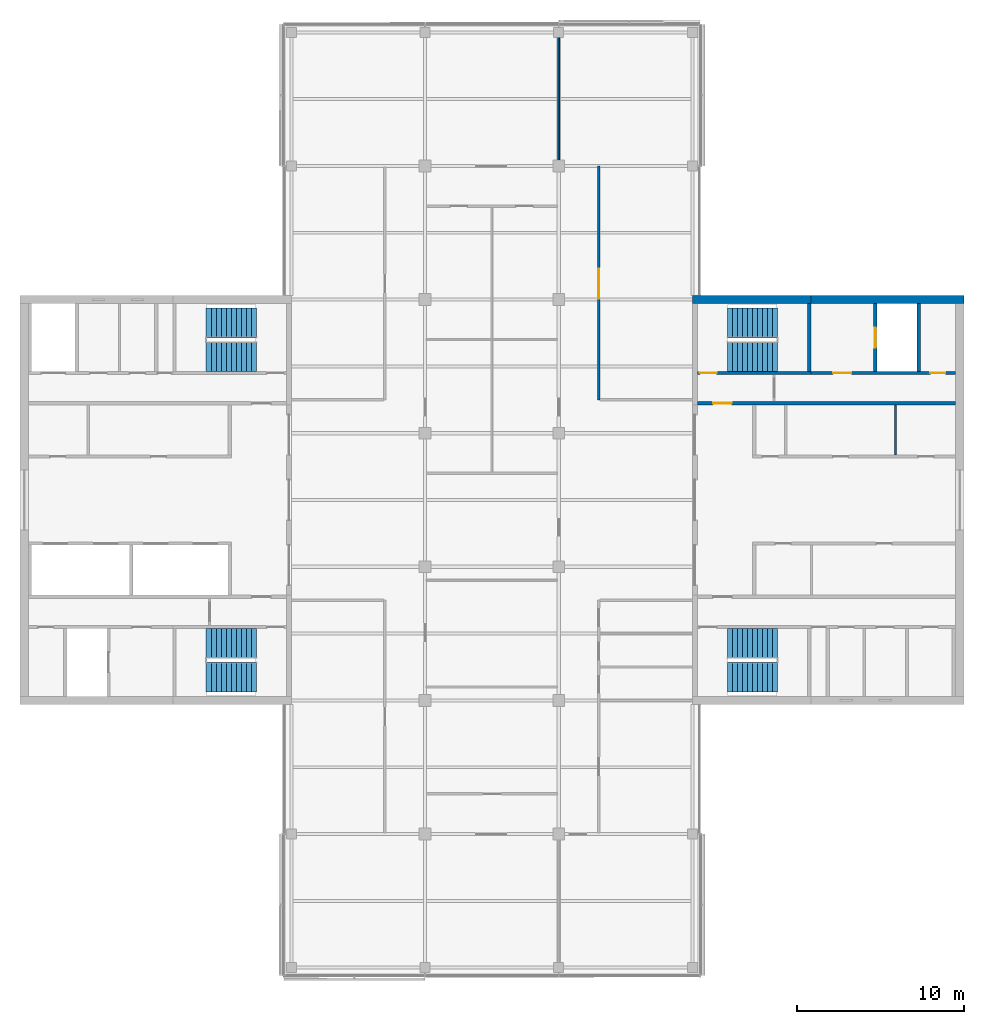
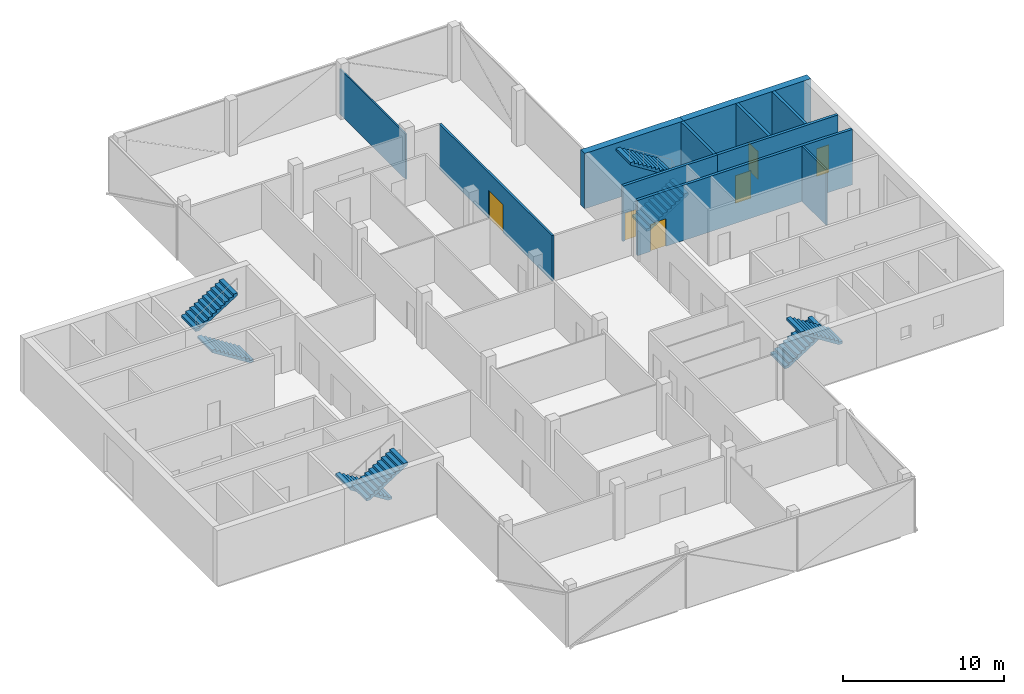
# One storey, part 12 of 15: 11 walls, 8 stair flights, 6 doors, 6 openings, 4 elements without a shape of their own.
"""IFC4 building model written with IfcOpenShell, lengths in metres."""

from ifc_helpers import new_model, si_unit, direction, frame, frame_2d, origin, place, context, subcontext, project, spatial, polyline, rectangle, outline, extrude, material, layer, layer_set, constituent, constituent_set, type_object, element, fill, aggregate, save


model = new_model("IFC4")

# Units and contexts
model_context = context("Model", 3, precision=1e-05, world=origin(), true_north=direction((0.0, 1.0)))
body_context = subcontext(model_context, "Body", "Model", "MODEL_VIEW")
ifc_project = project(units=[si_unit("LENGTHUNIT", "METRE"), si_unit("AREAUNIT", "SQUARE_METRE"), si_unit("VOLUMEUNIT", "CUBIC_METRE"), si_unit("PLANEANGLEUNIT", "RADIAN"), si_unit("MASSUNIT", "GRAM", prefix="KILO")], contexts=[model_context])

# Site, building, storey
site_placement = place(None, origin())
site = spatial("IfcSite", under=ifc_project, at=site_placement, CompositionType="ELEMENT")
building_placement = place(site_placement, origin())
building = spatial("IfcBuilding", under=site, at=building_placement, Name="Crosswind Convention Tower", CompositionType="ELEMENT")
storey_placement = place(building_placement, frame((0.0, 0.0, 261.89990234375)))
storey = spatial("IfcBuildingStorey", under=building, at=storey_placement, Name="L56", CompositionType="ELEMENT", Elevation=261.89990234375)

# Wall, opening, door
ifc_material_1 = material(Name="Concrete C50/60", Category="concrete")
ifc_layer_1 = layer(ifc_material_1, 0.199951171875)
ifc_layer_set_1 = layer_set([ifc_layer_1], Name="Concrete C50/60")
wall_type_1 = type_object("IfcWallType", Name="Concrete shaft and stair wall 200", PredefinedType="SHEAR", material=ifc_layer_set_1)
wall_1_placement = place(storey_placement, frame((137.300048828125, 105.800048828125, 0.0), z_axis=(0.0, 0.0, 1.0), x_axis=(1.0, 0.0, 0.0)))
wall_1 = element("IfcWall", 1, at=wall_1_placement, inside=storey, type_object=wall_type_1, Name="Wall HP E L56", PredefinedType="SHEAR", context=body_context, shape_type="SweptSolid", body=[
    extrude(rectangle(XDim=15.449951171875, YDim=0.199951171875, at=frame_2d((7.72509765625, 0.0))), origin(), (0.0, 0.0, 1.0), 4.2001953125),
])
opening_1_placement = place(wall_1_placement, frame((0.949951171875, 0.0, 0.0)))
opening_1 = element("IfcOpeningElement", 2, at=opening_1_placement, cuts=wall_1, Name="Opening D104", PredefinedType="OPENING", context=body_context, shape_type="SweptSolid", body=[
    extrude(rectangle(XDim=1.10009765625, YDim=2.10009765625, at=frame_2d((0.550048828125, 1.050048828125))), frame((0.0, 0.10986328125, 0.0), z_axis=(0.0, -1.0, 0.0), x_axis=(1.0, 0.0, 0.0)), (0.0, 0.0, 1.0), 0.219970703125),
])
ifc_material_2 = material(Name="Steel fire door", Category="steel")
door_type_1 = type_object("IfcDoorType", Name="Fire-rated single door 1100x2100", OperationType="NOTDEFINED", PredefinedType="DOOR", material=ifc_material_2)
door_1_placement = place(opening_1_placement, origin())
door_1 = element("IfcDoor", 3, at=door_1_placement, inside=storey, type_object=door_type_1, Name="Corridor door L56", ObjectType="D104", OperationType="SINGLE_SWING_LEFT", OverallHeight=2.10009765625, OverallWidth=1.10009765625, PredefinedType="DOOR", context=body_context, shape_type="SweptSolid", body=[
    extrude(rectangle(XDim=1.10009765625, YDim=2.10009765625, at=frame_2d((0.550048828125, 1.050048828125))), frame((0.0, 0.02490234375, 0.0), z_axis=(0.0, -1.0, 0.0), x_axis=(1.0, 0.0, 0.0)), (0.0, 0.0, 1.0), 0.050048828125),
])
fill(opening_1, door_1)

# Wall
wall_2_placement = place(storey_placement, frame((144.0, 107.699951171875, 0.0), z_axis=(0.0, 0.0, 1.0), x_axis=(0.0, 1.0, 0.0)))
element("IfcWall", 4, at=wall_2_placement, inside=storey, type_object=wall_type_1, Name="Wall PSE E L56", PredefinedType="SHEAR", context=body_context, shape_type="SweptSolid", body=[
    extrude(rectangle(XDim=4.050048828125, YDim=0.199951171875, at=frame_2d((2.02490234375, 0.0))), origin(), (0.0, 0.0, 1.0), 4.2001953125),
])

# Wall, opening, door
wall_3_placement = place(storey_placement, frame((147.949951171875, 107.699951171875, 0.0), z_axis=(0.0, 0.0, 1.0), x_axis=(0.0, 1.0, 0.0)))
wall_3 = element("IfcWall", 5, at=wall_3_placement, inside=storey, type_object=wall_type_1, Name="Wall PFLW E L56", PredefinedType="SHEAR", context=body_context, shape_type="SweptSolid", body=[
    extrude(rectangle(XDim=4.050048828125, YDim=0.199951171875, at=frame_2d((2.02490234375, 0.0))), origin(), (0.0, 0.0, 1.0), 4.2001953125),
])
opening_2_placement = place(wall_3_placement, frame((1.425048828125, 0.0, 0.0)))
opening_2 = element("IfcOpeningElement", 6, at=opening_2_placement, cuts=wall_3, Name="Opening LD1", PredefinedType="OPENING", context=body_context, shape_type="SweptSolid", body=[
    extrude(rectangle(XDim=1.199951171875, YDim=2.10009765625, at=frame_2d((0.60009765625, 1.050048828125))), frame((0.0, 0.10986328125, 0.0), z_axis=(0.0, -1.0, 0.0), x_axis=(1.0, 0.0, 0.0)), (0.0, 0.0, 1.0), 0.219970703125),
])
ifc_material_3 = material(Name="Stainless steel", Category="steel")
door_type_2 = type_object("IfcDoorType", Name="Lift landing door 1200x2100", OperationType="DOUBLE_DOOR_SLIDING", PredefinedType="DOOR", material=ifc_material_3)
door_2_placement = place(opening_2_placement, origin())
door_2 = element("IfcDoor", 7, at=door_2_placement, inside=storey, type_object=door_type_2, Name="Landing door FF1 L56", ObjectType="LD1", OperationType="DOUBLE_DOOR_SLIDING", OverallHeight=2.10009765625, OverallWidth=1.199951171875, PredefinedType="DOOR", context=body_context, shape_type="SweptSolid", body=[
    extrude(rectangle(XDim=1.199951171875, YDim=2.10009765625, at=frame_2d((0.60009765625, 1.050048828125))), frame((0.0, 0.02490234375, 0.0), z_axis=(0.0, -1.0, 0.0), x_axis=(1.0, 0.0, 0.0)), (0.0, 0.0, 1.0), 0.050048828125),
])
fill(opening_2, door_2)

# Wall
wall_4_placement = place(storey_placement, frame((150.550048828125, 107.699951171875, 0.0), z_axis=(0.0, 0.0, 1.0), x_axis=(0.0, 1.0, 0.0)))
element("IfcWall", 8, at=wall_4_placement, inside=storey, type_object=wall_type_1, Name="Wall PFSE E L56", PredefinedType="SHEAR", context=body_context, shape_type="SweptSolid", body=[
    extrude(rectangle(XDim=4.050048828125, YDim=0.199951171875, at=frame_2d((2.02490234375, 0.0))), origin(), (0.0, 0.0, 1.0), 4.2001953125),
])

# Wall, opening, door
wall_5_placement = place(storey_placement, frame((137.300048828125, 107.60009765625, 0.0), z_axis=(0.0, 0.0, 1.0), x_axis=(1.0, 0.0, 0.0)))
wall_5 = element("IfcWall", 9, at=wall_5_placement, inside=storey, type_object=wall_type_1, Name="Wall PCW E L56", PredefinedType="SHEAR", context=body_context, shape_type="SweptSolid", body=[
    extrude(rectangle(XDim=6.800048828125, YDim=0.199951171875, at=frame_2d((3.39990234375, 0.0))), origin(), (0.0, 0.0, 1.0), 4.2001953125),
])
opening_3_placement = place(wall_5_placement, frame((0.14990234375, 0.0, 0.0)))
opening_3 = element("IfcOpeningElement", 10, at=opening_3_placement, cuts=wall_5, Name="Opening D103", PredefinedType="OPENING", context=body_context, shape_type="SweptSolid", body=[
    extrude(rectangle(XDim=1.0, YDim=2.10009765625, at=frame_2d((0.5, 1.050048828125))), frame((0.0, 0.10986328125, 0.0), z_axis=(0.0, -1.0, 0.0), x_axis=(1.0, 0.0, 0.0)), (0.0, 0.0, 1.0), 0.219970703125),
])
door_type_3 = type_object("IfcDoorType", Name="Fire-rated single door 1000x2100", OperationType="NOTDEFINED", PredefinedType="DOOR", material=ifc_material_2)
door_3_placement = place(opening_3_placement, origin())
door_3 = element("IfcDoor", 11, at=door_3_placement, inside=storey, type_object=door_type_3, Name="Stair ST1 door L56", ObjectType="D103", OperationType="SINGLE_SWING_LEFT", OverallHeight=2.10009765625, OverallWidth=1.0, PredefinedType="DOOR", context=body_context, shape_type="SweptSolid", body=[
    extrude(rectangle(XDim=1.0, YDim=2.10009765625, at=frame_2d((0.5, 1.050048828125))), frame((0.0, 0.02490234375, 0.0), z_axis=(0.0, -1.0, 0.0), x_axis=(1.0, 0.0, 0.0)), (0.0, 0.0, 1.0), 0.050048828125),
])
fill(opening_3, door_3)

# Wall, openings, doors
wall_6_placement = place(storey_placement, frame((144.10009765625, 107.60009765625, 0.0), z_axis=(0.0, 0.0, 1.0), x_axis=(1.0, 0.0, 0.0)))
wall_6 = element("IfcWall", 12, at=wall_6_placement, inside=storey, type_object=wall_type_1, Name="Wall PCX E L56", PredefinedType="SHEAR", context=body_context, shape_type="SweptSolid", body=[
    extrude(rectangle(XDim=8.64990234375, YDim=0.199951171875, at=frame_2d((4.324951171875, 0.0))), origin(), (0.0, 0.0, 1.0), 4.2001953125),
])
opening_4_placement = place(wall_6_placement, frame((1.324951171875, 0.0, 0.0)))
opening_4 = element("IfcOpeningElement", 13, at=opening_4_placement, cuts=wall_6, Name="Opening D104", PredefinedType="OPENING", context=body_context, shape_type="SweptSolid", body=[
    extrude(rectangle(XDim=1.10009765625, YDim=2.10009765625, at=frame_2d((0.550048828125, 1.050048828125))), frame((0.0, 0.10986328125, 0.0), z_axis=(0.0, -1.0, 0.0), x_axis=(1.0, 0.0, 0.0)), (0.0, 0.0, 1.0), 0.219970703125),
])
opening_5_placement = place(wall_6_placement, frame((7.14990234375, 0.0, 0.0)))
opening_5 = element("IfcOpeningElement", 14, at=opening_5_placement, cuts=wall_6, Name="Opening D106", PredefinedType="OPENING", context=body_context, shape_type="SweptSolid", body=[
    extrude(rectangle(XDim=0.89990234375, YDim=2.10009765625, at=frame_2d((0.449951171875, 1.050048828125))), frame((0.0, 0.10986328125, 0.0), z_axis=(0.0, -1.0, 0.0), x_axis=(1.0, 0.0, 0.0)), (0.0, 0.0, 1.0), 0.219970703125),
])
door_4_placement = place(opening_4_placement, origin())
door_4 = element("IfcDoor", 15, at=door_4_placement, inside=storey, type_object=door_type_1, Name="Fire-fighting lobby FF1 door L56", ObjectType="D104", OperationType="SINGLE_SWING_RIGHT", OverallHeight=2.10009765625, OverallWidth=1.10009765625, PredefinedType="DOOR", context=body_context, shape_type="SweptSolid", body=[
    extrude(rectangle(XDim=1.10009765625, YDim=2.10009765625, at=frame_2d((0.550048828125, 1.050048828125))), frame((0.0, 0.02490234375, 0.0), z_axis=(0.0, -1.0, 0.0), x_axis=(1.0, 0.0, 0.0)), (0.0, 0.0, 1.0), 0.050048828125),
])
fill(opening_4, door_4)
ifc_material_4 = material(Name="Timber door", Category="wood")
door_type_4 = type_object("IfcDoorType", Name="Single leaf door 900x2100", OperationType="NOTDEFINED", PredefinedType="DOOR", material=ifc_material_4)
door_5_placement = place(opening_5_placement, origin())
door_5 = element("IfcDoor", 16, at=door_5_placement, inside=storey, type_object=door_type_4, Name="Door to cleaners' store L56", ObjectType="D106", OperationType="SINGLE_SWING_RIGHT", OverallHeight=2.10009765625, OverallWidth=0.89990234375, PredefinedType="DOOR", context=body_context, shape_type="SweptSolid", body=[
    extrude(rectangle(XDim=0.89990234375, YDim=2.10009765625, at=frame_2d((0.449951171875, 1.050048828125))), frame((0.0, 0.02490234375, 0.0), z_axis=(0.0, -1.0, 0.0), x_axis=(1.0, 0.0, 0.0)), (0.0, 0.0, 1.0), 0.050048828125),
])
fill(opening_5, door_5)

# Walls
ifc_material_5 = material(Name="Gypsum plasterboard partition", Category="gypsum")
ifc_layer_2 = layer(ifc_material_5, 0.125)
ifc_layer_set_2 = layer_set([ifc_layer_2], Name="Drywall partition wall 125")
wall_type_2 = type_object("IfcWallType", Name="Drywall partition wall 125", PredefinedType="PARTITIONING", material=ifc_layer_set_2)
wall_7_placement = place(storey_placement, frame((149.1650390625, 102.699951171875, 0.0), z_axis=(0.0, 0.0, 1.0), x_axis=(0.0, 1.0, 0.0)))
element("IfcWall", 17, at=wall_7_placement, inside=storey, type_object=wall_type_2, Name="Wall RPP2 E L56", PredefinedType="PARTITIONING", context=body_context, shape_type="SweptSolid", body=[
    extrude(rectangle(XDim=3.0, YDim=0.125, at=frame_2d((1.5, 0.0))), origin(), (0.0, 0.0, 1.0), 4.2001953125),
])
ifc_material_6 = material(Name="Plasterboard partition", Category="gypsum")
ifc_layer_3 = layer(ifc_material_6, 0.10009765625)
ifc_layer_set_3 = layer_set([ifc_layer_3], Name="PARTITION 100 METAL STUD")
wall_type_3 = type_object("IfcWallType", Name="PARTITION 100 METAL STUD", PredefinedType="PARTITIONING", material=ifc_layer_set_3)
wall_8_placement = place(storey_placement, frame((129.0, 120.074951171875, 0.0), z_axis=(0.0, 0.0, 1.0), x_axis=(0.0, 1.0, 0.0)))
element("IfcWall", 18, at=wall_8_placement, inside=storey, type_object=wall_type_3, Name="Partition wall WT40", PredefinedType="PARTITIONING", context=body_context, shape_type="SweptSolid", body=[
    extrude(rectangle(XDim=8.195068359375, YDim=0.10009765625, at=frame_2d((4.09765625, 0.0))), origin(), (0.0, 0.0, 1.0), 3.44287109375),
])

# Wall, opening, door
ifc_material_7 = material(Name="Fire-board partition with mineral wool", Category="gypsum")
ifc_layer_4 = layer(ifc_material_7, 0.14990234375)
ifc_layer_set_4 = layer_set([ifc_layer_4], Name="TENANCY WALL 150 TWO-HOUR BOARD")
wall_type_4 = type_object("IfcWallType", Name="TENANCY WALL 150 TWO-HOUR BOARD", PredefinedType="PARTITIONING", material=ifc_layer_set_4)
wall_9_placement = place(storey_placement, frame((131.39990234375, 106.0, 0.0), z_axis=(0.0, 0.0, 1.0), x_axis=(0.0, 1.0, 0.0)))
wall_9 = element("IfcWall", 19, at=wall_9_placement, inside=storey, type_object=wall_type_4, Name="Tenancy wall WT41", PredefinedType="PARTITIONING", context=body_context, shape_type="SweptSolid", body=[
    extrude(rectangle(XDim=14.0, YDim=0.14990234375, at=frame_2d((7.0, 0.0))), origin(), (0.0, 0.0, 1.0), 3.44287109375),
])
opening_6_placement = place(wall_9_placement, frame((6.050048828125, 0.0, 0.0)))
opening_6 = element("IfcOpeningElement", 20, at=opening_6_placement, cuts=wall_9, Name="Opening L56-50", PredefinedType="OPENING", context=body_context, shape_type="SweptSolid", body=[
    extrude(rectangle(XDim=1.800048828125, YDim=2.10009765625, at=frame_2d((0.89990234375, 1.050048828125))), frame((0.0, 0.0849609375, 0.0), z_axis=(0.0, -1.0, 0.0), x_axis=(1.0, 0.0, 0.0)), (0.0, 0.0, 1.0), 0.169921875),
])
ifc_material_8 = material(Name="Timber fire door", Category="wood")
door_type_5 = type_object("IfcDoorType", Name="TENANCY ENTRANCE DOUBLE DOOR 1800X2100 FD30S", OperationType="DOUBLE_DOOR_SINGLE_SWING", PredefinedType="DOOR", material=ifc_material_8)
door_6_placement = place(opening_6_placement, frame((1.800048828125, 0.0, 0.0), z_axis=(0.0, 0.0, 1.0), x_axis=(-1.0, 0.0, 0.0)))
door_6 = element("IfcDoor", 21, at=door_6_placement, inside=storey, type_object=door_type_5, Name="Door L56-50", ObjectType="D42", OperationType="DOUBLE_DOOR_SINGLE_SWING", OverallHeight=2.10009765625, OverallWidth=1.800048828125, PredefinedType="DOOR", context=body_context, shape_type="SweptSolid", body=[
    extrude(rectangle(XDim=1.800048828125, YDim=2.10009765625, at=frame_2d((0.89990234375, 1.050048828125))), frame((0.0, 0.02490234375, 0.0), z_axis=(0.0, -1.0, 0.0), x_axis=(1.0, 0.0, 0.0)), (0.0, 0.0, 1.0), 0.050048828125),
])
fill(opening_6, door_6)

# Walls
ifc_material_9 = material(Name="Concrete C60/75", Category="concrete")
ifc_constituent_1 = constituent(ifc_material_9, Name="Structure")
ifc_material_10 = material(Name="Terracotta rainscreen", Category="ceramic")
ifc_constituent_2 = constituent(ifc_material_10, Name="Facing")
ifc_constituent_set = constituent_set(constituents=[ifc_constituent_1, ifc_constituent_2], Name="Concrete C60/75, Terracotta rainscreen")
wall_type_5 = type_object("IfcWallType", Name="Terracotta rainscreen on concrete core wall 500", PredefinedType="SHEAR", material=ifc_constituent_set)
wall_10_placement = place(storey_placement, frame((137.0, 112.0, 0.0), z_axis=(0.0, 0.0, 1.0), x_axis=(1.0, 0.0, 0.0)))
element("IfcWall", 22, at=wall_10_placement, inside=storey, type_object=wall_type_5, Name="Wall N1 E L56", PredefinedType="SHEAR", context=body_context, shape_type="SweptSolid", body=[
    extrude(rectangle(XDim=7.10009765625, YDim=0.5, at=frame_2d((3.550048828125, 0.0))), origin(), (0.0, 0.0, 1.0), 4.2001953125),
])
wall_11_placement = place(storey_placement, frame((144.10009765625, 112.0, 0.0), z_axis=(0.0, 0.0, 1.0), x_axis=(1.0, 0.0, 0.0)))
element("IfcWall", 23, at=wall_11_placement, inside=storey, type_object=wall_type_5, Name="Wall N2 E L56", PredefinedType="SHEAR", context=body_context, shape_type="SweptSolid", body=[
    extrude(rectangle(XDim=9.14990234375, YDim=0.5, at=frame_2d((4.574951171875, 0.0))), origin(), (0.0, 0.0, 1.0), 4.2001953125),
])

# Stair, stair flights
ifc_material_11 = material(Name="Concrete C40/50", Category="concrete")
stair_type = type_object("IfcStairType", Name="Exit stair 1800 wide, 2 flights of 11 risers", PredefinedType="HALF_TURN_STAIR", material=ifc_material_11)
stair_1_placement = place(storey_placement, origin())
stair_1 = element("IfcStair", 24, at=stair_1_placement, inside=storey, type_object=stair_type, Name="Exit stair ST1 L56", ObjectType="ST5", PredefinedType="HALF_TURN_STAIR")
stair_flight_type = type_object("IfcStairFlightType", Name="Stair flight 1800 wide, 11 risers (SF4)", PredefinedType="STRAIGHT", material=ifc_material_11)
stair_flight_1_placement = place(storey_placement, frame((139.10009765625, 108.60009765625, 0.0), z_axis=(0.0, 0.0, 1.0), x_axis=(1.0, 0.0, 0.0)))
stair_flight_1 = element("IfcStairFlight", 25, at=stair_flight_1_placement, type_object=stair_flight_type, Name="ST1 flight 1", NumberOfRisers=11, NumberOfTreads=10, PredefinedType="STRAIGHT", RiserHeight=0.190909091, TreadLength=0.3, context=body_context, shape_type="SweptSolid", body=[
    extrude(outline(polyline([(0.0, 0.0), (0.0, 0.19091796875), (0.300048828125, 0.19091796875), (0.300048828125, 0.3818359375), (0.60009765625, 0.3818359375), (0.60009765625, 0.57275390625), (0.89990234375, 0.57275390625), (0.89990234375, 0.763671875), (1.199951171875, 0.763671875), (1.199951171875, 0.95458984375), (1.5, 0.95458984375), (1.5, 1.1455078125), (1.800048828125, 1.1455078125), (1.800048828125, 1.33642578125), (2.10009765625, 1.33642578125), (2.10009765625, 1.52734375), (2.39990234375, 1.52734375), (2.39990234375, 1.71826171875), (2.699951171875, 1.71826171875), (2.699951171875, 1.9091796875), (3.0, 1.9091796875), (3.0, 2.10009765625), (3.0, 1.7314453125), (0.279296875, 0.0), (0.0, 0.0)])), frame((0.0, 0.89990234375, 0.0), z_axis=(0.0, -1.0, 0.0), x_axis=(1.0, 0.0, 0.0)), (0.0, 0.0, 1.0), 1.800048828125),
])
stair_flight_2_placement = place(storey_placement, frame((142.10009765625, 110.60009765625, 2.10009765625), z_axis=(0.0, 0.0, 1.0), x_axis=(-1.0, 0.0, 0.0)))
stair_flight_2 = element("IfcStairFlight", 26, at=stair_flight_2_placement, type_object=stair_flight_type, Name="ST1 flight 2", NumberOfRisers=11, NumberOfTreads=10, PredefinedType="STRAIGHT", RiserHeight=0.190909091, TreadLength=0.3, context=body_context, shape_type="SweptSolid", body=[
    extrude(outline(polyline([(0.0, 0.0), (0.0, 0.19091796875), (0.300048828125, 0.19091796875), (0.300048828125, 0.3818359375), (0.60009765625, 0.3818359375), (0.60009765625, 0.57275390625), (0.89990234375, 0.57275390625), (0.89990234375, 0.763671875), (1.199951171875, 0.763671875), (1.199951171875, 0.95458984375), (1.5, 0.95458984375), (1.5, 1.1455078125), (1.800048828125, 1.1455078125), (1.800048828125, 1.33642578125), (2.10009765625, 1.33642578125), (2.10009765625, 1.52734375), (2.39990234375, 1.52734375), (2.39990234375, 1.71826171875), (2.699951171875, 1.71826171875), (2.699951171875, 1.9091796875), (3.0, 1.9091796875), (3.0, 2.10009765625), (3.0, 1.7314453125), (0.279296875, 0.0), (0.0, 0.0)])), frame((0.0, 0.89990234375, 0.0), z_axis=(0.0, -1.0, 0.0), x_axis=(1.0, 0.0, 0.0)), (0.0, 0.0, 1.0), 1.800048828125),
])
aggregate(stair_1, [stair_flight_1, stair_flight_2])

stair_2_placement = place(storey_placement, origin())
stair_2 = element("IfcStair", 27, at=stair_2_placement, inside=storey, type_object=stair_type, Name="Exit stair ST2 L56", ObjectType="ST5", PredefinedType="HALF_TURN_STAIR")
stair_flight_3_placement = place(storey_placement, frame((139.10009765625, 91.39990234375, 0.0), z_axis=(0.0, 0.0, 1.0), x_axis=(1.0, 0.0, 0.0)))
stair_flight_3 = element("IfcStairFlight", 28, at=stair_flight_3_placement, type_object=stair_flight_type, Name="ST2 flight 1", NumberOfRisers=11, NumberOfTreads=10, PredefinedType="STRAIGHT", RiserHeight=0.190909091, TreadLength=0.3, context=body_context, shape_type="SweptSolid", body=[
    extrude(outline(polyline([(0.0, 0.0), (0.0, 0.19091796875), (0.300048828125, 0.19091796875), (0.300048828125, 0.3818359375), (0.60009765625, 0.3818359375), (0.60009765625, 0.57275390625), (0.89990234375, 0.57275390625), (0.89990234375, 0.763671875), (1.199951171875, 0.763671875), (1.199951171875, 0.95458984375), (1.5, 0.95458984375), (1.5, 1.1455078125), (1.800048828125, 1.1455078125), (1.800048828125, 1.33642578125), (2.10009765625, 1.33642578125), (2.10009765625, 1.52734375), (2.39990234375, 1.52734375), (2.39990234375, 1.71826171875), (2.699951171875, 1.71826171875), (2.699951171875, 1.9091796875), (3.0, 1.9091796875), (3.0, 2.10009765625), (3.0, 1.7314453125), (0.279296875, 0.0), (0.0, 0.0)])), frame((0.0, 0.89990234375, 0.0), z_axis=(0.0, -1.0, 0.0), x_axis=(1.0, 0.0, 0.0)), (0.0, 0.0, 1.0), 1.800048828125),
])
stair_flight_4_placement = place(storey_placement, frame((142.10009765625, 89.39990234375, 2.10009765625), z_axis=(0.0, 0.0, 1.0), x_axis=(-1.0, 0.0, 0.0)))
stair_flight_4 = element("IfcStairFlight", 29, at=stair_flight_4_placement, type_object=stair_flight_type, Name="ST2 flight 2", NumberOfRisers=11, NumberOfTreads=10, PredefinedType="STRAIGHT", RiserHeight=0.190909091, TreadLength=0.3, context=body_context, shape_type="SweptSolid", body=[
    extrude(outline(polyline([(0.0, 0.0), (0.0, 0.19091796875), (0.300048828125, 0.19091796875), (0.300048828125, 0.3818359375), (0.60009765625, 0.3818359375), (0.60009765625, 0.57275390625), (0.89990234375, 0.57275390625), (0.89990234375, 0.763671875), (1.199951171875, 0.763671875), (1.199951171875, 0.95458984375), (1.5, 0.95458984375), (1.5, 1.1455078125), (1.800048828125, 1.1455078125), (1.800048828125, 1.33642578125), (2.10009765625, 1.33642578125), (2.10009765625, 1.52734375), (2.39990234375, 1.52734375), (2.39990234375, 1.71826171875), (2.699951171875, 1.71826171875), (2.699951171875, 1.9091796875), (3.0, 1.9091796875), (3.0, 2.10009765625), (3.0, 1.7314453125), (0.279296875, 0.0), (0.0, 0.0)])), frame((0.0, 0.89990234375, 0.0), z_axis=(0.0, -1.0, 0.0), x_axis=(1.0, 0.0, 0.0)), (0.0, 0.0, 1.0), 1.800048828125),
])
aggregate(stair_2, [stair_flight_3, stair_flight_4])

stair_3_placement = place(storey_placement, origin())
stair_3 = element("IfcStair", 30, at=stair_3_placement, inside=storey, type_object=stair_type, Name="Exit stair ST3 L56", ObjectType="ST5", PredefinedType="HALF_TURN_STAIR")
stair_flight_5_placement = place(storey_placement, frame((110.89990234375, 91.39990234375, 0.0), z_axis=(0.0, 0.0, 1.0), x_axis=(-1.0, 0.0, 0.0)))
stair_flight_5 = element("IfcStairFlight", 31, at=stair_flight_5_placement, type_object=stair_flight_type, Name="ST3 flight 1", NumberOfRisers=11, NumberOfTreads=10, PredefinedType="STRAIGHT", RiserHeight=0.190909091, TreadLength=0.3, context=body_context, shape_type="SweptSolid", body=[
    extrude(outline(polyline([(0.0, 0.0), (0.0, 0.19091796875), (0.300048828125, 0.19091796875), (0.300048828125, 0.3818359375), (0.60009765625, 0.3818359375), (0.60009765625, 0.57275390625), (0.89990234375, 0.57275390625), (0.89990234375, 0.763671875), (1.199951171875, 0.763671875), (1.199951171875, 0.95458984375), (1.5, 0.95458984375), (1.5, 1.1455078125), (1.800048828125, 1.1455078125), (1.800048828125, 1.33642578125), (2.10009765625, 1.33642578125), (2.10009765625, 1.52734375), (2.39990234375, 1.52734375), (2.39990234375, 1.71826171875), (2.699951171875, 1.71826171875), (2.699951171875, 1.9091796875), (3.0, 1.9091796875), (3.0, 2.10009765625), (3.0, 1.7314453125), (0.279296875, 0.0), (0.0, 0.0)])), frame((0.0, 0.89990234375, 0.0), z_axis=(0.0, -1.0, 0.0), x_axis=(1.0, 0.0, 0.0)), (0.0, 0.0, 1.0), 1.800048828125),
])
stair_flight_6_placement = place(storey_placement, frame((107.89990234375, 89.39990234375, 2.10009765625), z_axis=(0.0, 0.0, 1.0), x_axis=(1.0, 0.0, 0.0)))
stair_flight_6 = element("IfcStairFlight", 32, at=stair_flight_6_placement, type_object=stair_flight_type, Name="ST3 flight 2", NumberOfRisers=11, NumberOfTreads=10, PredefinedType="STRAIGHT", RiserHeight=0.190909091, TreadLength=0.3, context=body_context, shape_type="SweptSolid", body=[
    extrude(outline(polyline([(0.0, 0.0), (0.0, 0.19091796875), (0.300048828125, 0.19091796875), (0.300048828125, 0.3818359375), (0.60009765625, 0.3818359375), (0.60009765625, 0.57275390625), (0.89990234375, 0.57275390625), (0.89990234375, 0.763671875), (1.199951171875, 0.763671875), (1.199951171875, 0.95458984375), (1.5, 0.95458984375), (1.5, 1.1455078125), (1.800048828125, 1.1455078125), (1.800048828125, 1.33642578125), (2.10009765625, 1.33642578125), (2.10009765625, 1.52734375), (2.39990234375, 1.52734375), (2.39990234375, 1.71826171875), (2.699951171875, 1.71826171875), (2.699951171875, 1.9091796875), (3.0, 1.9091796875), (3.0, 2.10009765625), (3.0, 1.7314453125), (0.279296875, 0.0), (0.0, 0.0)])), frame((0.0, 0.89990234375, 0.0), z_axis=(0.0, -1.0, 0.0), x_axis=(1.0, 0.0, 0.0)), (0.0, 0.0, 1.0), 1.800048828125),
])
aggregate(stair_3, [stair_flight_5, stair_flight_6])

stair_4_placement = place(storey_placement, origin())
stair_4 = element("IfcStair", 33, at=stair_4_placement, inside=storey, type_object=stair_type, Name="Exit stair ST4 L56", ObjectType="ST5", PredefinedType="HALF_TURN_STAIR")
stair_flight_7_placement = place(storey_placement, frame((110.89990234375, 108.60009765625, 0.0), z_axis=(0.0, 0.0, 1.0), x_axis=(-1.0, 0.0, 0.0)))
stair_flight_7 = element("IfcStairFlight", 34, at=stair_flight_7_placement, type_object=stair_flight_type, Name="ST4 flight 1", NumberOfRisers=11, NumberOfTreads=10, PredefinedType="STRAIGHT", RiserHeight=0.190909091, TreadLength=0.3, context=body_context, shape_type="SweptSolid", body=[
    extrude(outline(polyline([(0.0, 0.0), (0.0, 0.19091796875), (0.300048828125, 0.19091796875), (0.300048828125, 0.3818359375), (0.60009765625, 0.3818359375), (0.60009765625, 0.57275390625), (0.89990234375, 0.57275390625), (0.89990234375, 0.763671875), (1.199951171875, 0.763671875), (1.199951171875, 0.95458984375), (1.5, 0.95458984375), (1.5, 1.1455078125), (1.800048828125, 1.1455078125), (1.800048828125, 1.33642578125), (2.10009765625, 1.33642578125), (2.10009765625, 1.52734375), (2.39990234375, 1.52734375), (2.39990234375, 1.71826171875), (2.699951171875, 1.71826171875), (2.699951171875, 1.9091796875), (3.0, 1.9091796875), (3.0, 2.10009765625), (3.0, 1.7314453125), (0.279296875, 0.0), (0.0, 0.0)])), frame((0.0, 0.89990234375, 0.0), z_axis=(0.0, -1.0, 0.0), x_axis=(1.0, 0.0, 0.0)), (0.0, 0.0, 1.0), 1.800048828125),
])
stair_flight_8_placement = place(storey_placement, frame((107.89990234375, 110.60009765625, 2.10009765625), z_axis=(0.0, 0.0, 1.0), x_axis=(1.0, 0.0, 0.0)))
stair_flight_8 = element("IfcStairFlight", 35, at=stair_flight_8_placement, type_object=stair_flight_type, Name="ST4 flight 2", NumberOfRisers=11, NumberOfTreads=10, PredefinedType="STRAIGHT", RiserHeight=0.190909091, TreadLength=0.3, context=body_context, shape_type="SweptSolid", body=[
    extrude(outline(polyline([(0.0, 0.0), (0.0, 0.19091796875), (0.300048828125, 0.19091796875), (0.300048828125, 0.3818359375), (0.60009765625, 0.3818359375), (0.60009765625, 0.57275390625), (0.89990234375, 0.57275390625), (0.89990234375, 0.763671875), (1.199951171875, 0.763671875), (1.199951171875, 0.95458984375), (1.5, 0.95458984375), (1.5, 1.1455078125), (1.800048828125, 1.1455078125), (1.800048828125, 1.33642578125), (2.10009765625, 1.33642578125), (2.10009765625, 1.52734375), (2.39990234375, 1.52734375), (2.39990234375, 1.71826171875), (2.699951171875, 1.71826171875), (2.699951171875, 1.9091796875), (3.0, 1.9091796875), (3.0, 2.10009765625), (3.0, 1.7314453125), (0.279296875, 0.0), (0.0, 0.0)])), frame((0.0, 0.89990234375, 0.0), z_axis=(0.0, -1.0, 0.0), x_axis=(1.0, 0.0, 0.0)), (0.0, 0.0, 1.0), 1.800048828125),
])
aggregate(stair_4, [stair_flight_7, stair_flight_8])

save(model, "model.ifc")
